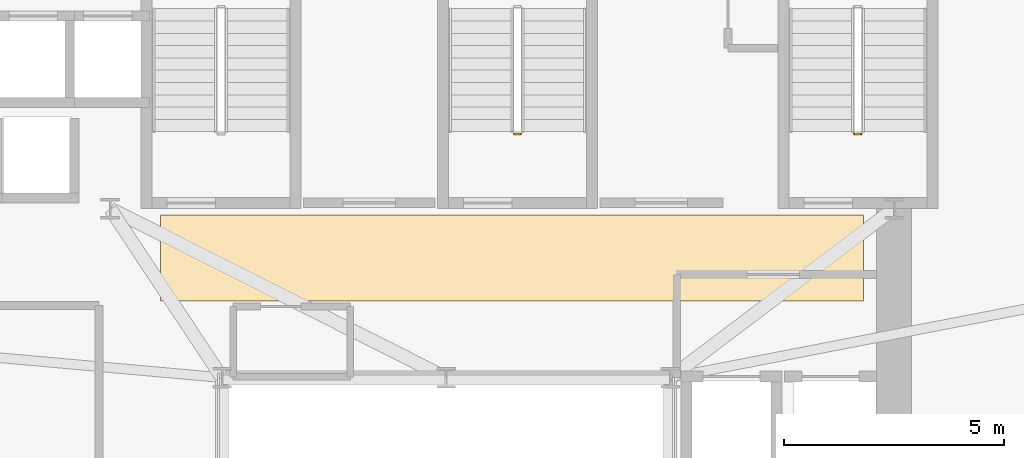
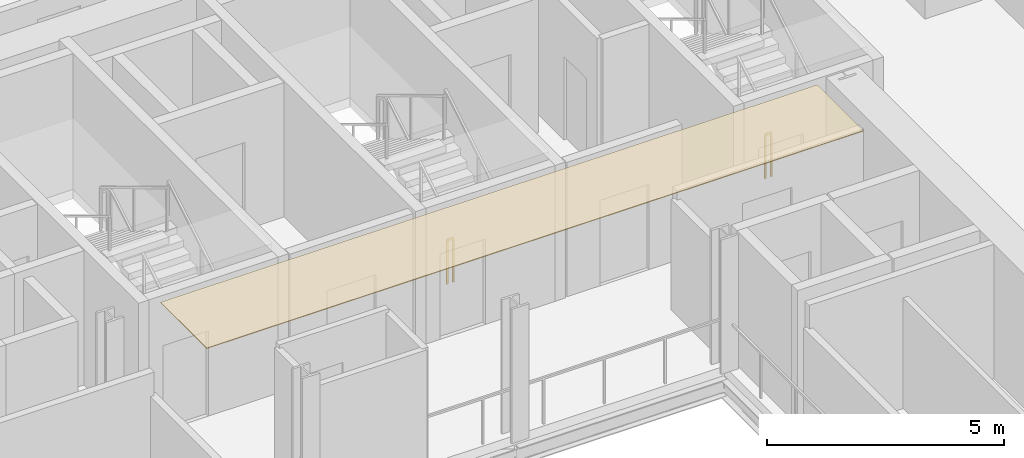
# One storey, part 12 of 14: 2 railings, 1 covering.
"""IFC4 building model written with IfcOpenShell, lengths in metres."""

from ifc_helpers import new_model, si_unit, direction, frame, origin, origin_2d, place, context, subcontext, project, spatial, polyline, rectangle, outline, extrude, source, transform, mapped, material, layer, layer_set, type_object, element, save


model = new_model("IFC4")

# Units and contexts
model_context = context("Model", 3, precision=1e-05, world=origin(), true_north=direction((0.0, 1.0)))
body_context = subcontext(model_context, "Body", "Model", "MODEL_VIEW")
ifc_project = project(units=[si_unit("LENGTHUNIT", "METRE"), si_unit("AREAUNIT", "SQUARE_METRE"), si_unit("VOLUMEUNIT", "CUBIC_METRE"), si_unit("PLANEANGLEUNIT", "RADIAN"), si_unit("MASSUNIT", "GRAM", prefix="KILO")], contexts=[model_context])

# Site, building, storey
site_placement = place(None, origin())
site = spatial("IfcSite", under=ifc_project, at=site_placement, CompositionType="ELEMENT")
building_placement = place(site_placement, origin())
building = spatial("IfcBuilding", under=site, at=building_placement, Name="Vardaveli Station Tower", CompositionType="ELEMENT")
storey_placement = place(building_placement, frame((0.0, 0.0, 133.5)))
storey = spatial("IfcBuildingStorey", under=building, at=storey_placement, Name="L34", CompositionType="ELEMENT", Elevation=133.5)

# Covering
ifc_material_1 = material(Name="Perforated acoustic mineral ceiling")
ifc_layer = layer(ifc_material_1, 0.02001953125, Name="Perforated acoustic mineral ceiling")
ifc_layer_set = layer_set([ifc_layer], Name="Perforated acoustic mineral ceiling")
covering_type = type_object("IfcCoveringType", Name="COV-CEIL-AC20", PredefinedType="CEILING", material=ifc_layer_set)
covering_placement = place(storey_placement, frame((0.0, 0.0, 3.445068359375)))
element("IfcCovering", 1, at=covering_placement, inside=storey, type_object=covering_type, Name="CEIL-L34-9", PredefinedType="CEILING", context=body_context, shape_type="SweptSolid", body=[
    extrude(outline(polyline([(29.800048828125, 28.550048828125), (45.800048828125, 28.550048828125), (45.800048828125, 30.5), (29.800048828125, 30.5), (29.800048828125, 28.550048828125)])), origin(), (0.0, 0.0, 1.0), 0.02001953125),
])

# Railings
ifc_material_2 = material(Name="Brushed AISI 316 stainless steel", Category="steel")
railing_type = type_object("IfcRailingType", Name="RL-GUARD-1150", PredefinedType="GUARDRAIL", material=ifc_material_2)
shared_shape = source(origin(), body_context, "Body", "SweptSolid", [
    extrude(rectangle(XDim=0.048095703125, YDim=0.048095703125, at=origin_2d()), frame((0.0, 0.0, 1.1259765625), z_axis=(-1.0, 0.0, 0.0), x_axis=(0.0, -1.0, 0.0)), (0.0, 0.0, 1.0), 0.14990234375),
    extrude(rectangle(XDim=0.0419921875, YDim=0.0419921875, at=origin_2d()), origin(), (0.0, 0.0, 1.0), 1.101806640625),
    extrude(rectangle(XDim=0.0419921875, YDim=0.0419921875, at=origin_2d()), frame((-0.14990234375, 0.0, 0.0)), (0.0, 0.0, 1.0), 1.101806640625),
])
for number, where, name in (
    (2, (38.0, 32.35009765625, 0.0), "L34 ST-2 stair guard 4"),
    (3, (45.75, 32.35009765625, 0.0), "L34 ST-3 stair guard 4"),
):
    element("IfcRailing", number, at=place(storey_placement, frame(where)), inside=storey, type_object=railing_type, Name=name, PredefinedType="GUARDRAIL", context=body_context, shape_type="MappedRepresentation", body=[
        mapped(shared_shape, transform((0.0, 0.0, 0.0), scale=1.0)),
    ])

save(model, "model.ifc")
